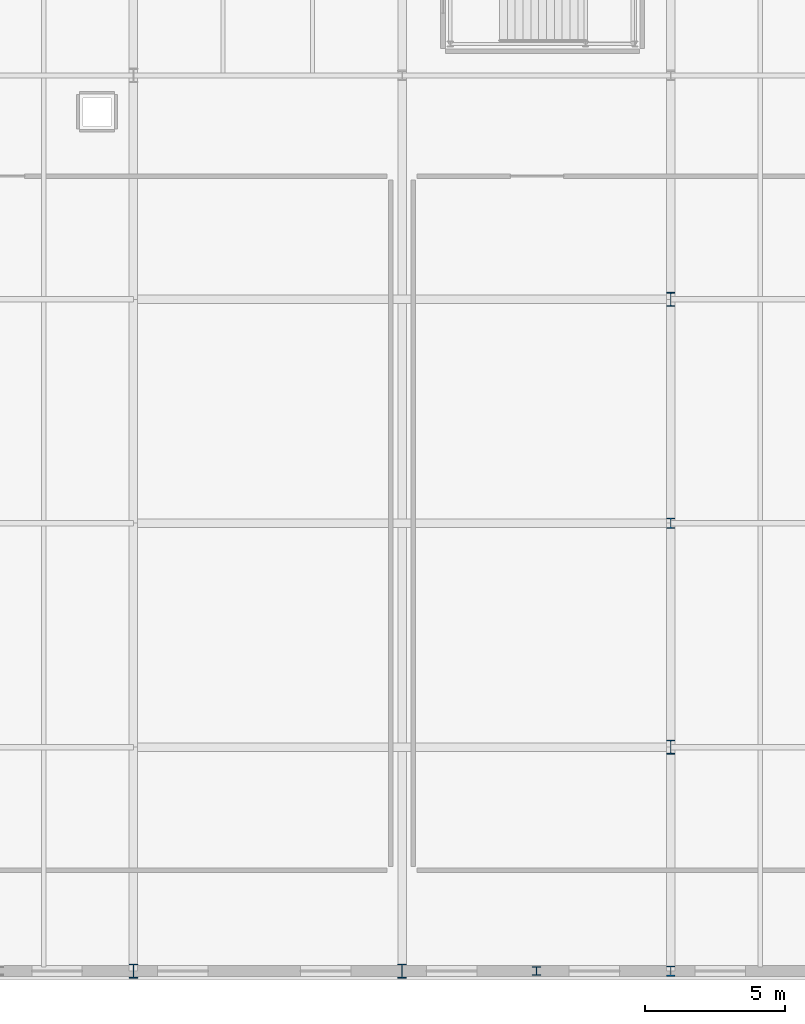
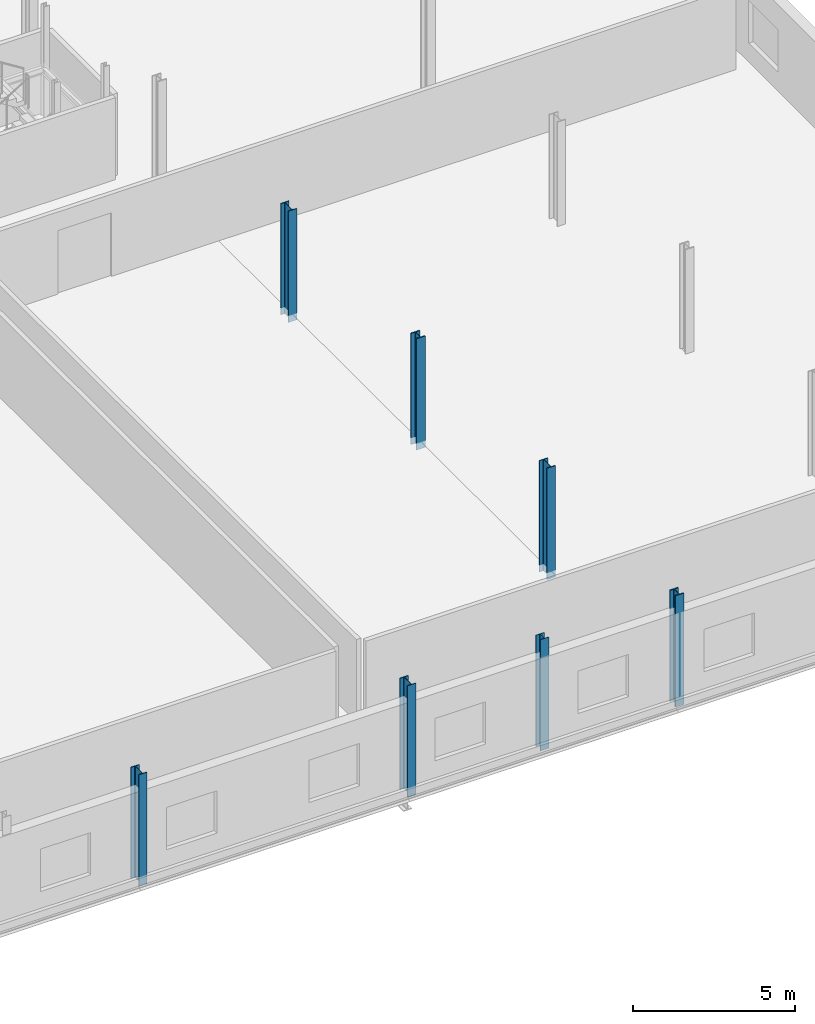
# One storey, part 5 of 78: 7 columns.
"""IFC4 building model written with IfcOpenShell, lengths in metres."""

from ifc_helpers import new_model, si_unit, direction, frame, origin, origin_2d, place, context, subcontext, project, spatial, i_section, extrude, material, material_profile, profile_set, type_object, element, save


model = new_model("IFC4")

# Units and contexts
model_context = context("Model", 3, precision=1e-05, world=origin(), true_north=direction((0.0, 1.0)))
body_context = subcontext(model_context, "Body", "Model", "MODEL_VIEW")
ifc_project = project(units=[si_unit("LENGTHUNIT", "METRE"), si_unit("AREAUNIT", "SQUARE_METRE"), si_unit("VOLUMEUNIT", "CUBIC_METRE"), si_unit("PLANEANGLEUNIT", "RADIAN"), si_unit("MASSUNIT", "GRAM", prefix="KILO")], contexts=[model_context])

# Site, building, storey
site_placement = place(None, origin())
site = spatial("IfcSite", under=ifc_project, at=site_placement, CompositionType="ELEMENT")
building_placement = place(site_placement, origin())
building = spatial("IfcBuilding", under=site, at=building_placement, Name="Alderhovde Museum", CompositionType="ELEMENT")
storey_placement = place(building_placement, frame((0.0, 0.0, 4.5)))
storey = spatial("IfcBuildingStorey", under=building, at=storey_placement, Name="L01", CompositionType="ELEMENT", Elevation=4.5)

# Columns
ifc_material_1 = material(Name="Steel S355J2", Category="steel")
ifc_material_profile_1 = material_profile(ifc_material_1, i_section(OverallWidth=0.300048828125, OverallDepth=0.5, WebThickness=0.014404296875, FlangeThickness=0.028076171875, FilletRadius=0.027099609375, at=origin_2d()), Name="HEB 500")
ifc_profile_set_1 = profile_set([ifc_material_profile_1], Name="Steel S355J2")
column_type_1 = type_object("IfcColumnType", Name="COL-HEB500", PredefinedType="COLUMN", material=ifc_profile_set_1)
for number, where, z_axis, x_axis, name in (
    (1, (76.800048828125, 0.0, -0.260009765625), (0.0, 0.0, 1.0), (1.0, 0.0, 0.0), "L01 Column (76.8, 0.0)"),
    (2, (86.39990234375, 0.0, -0.260009765625), (0.0, 0.0, 1.0), (1.0, 0.0, 0.0), "L01 Column (86.4, 0.0)"),
    (3, (96.0, 8.0, -0.260009765625), (0.0, 0.0, 1.0), (1.0, 0.0, 0.0), "L01 Column (96.0, 8.0)"),
    (4, (96.0, 24.0, -0.260009765625), (0.0, 0.0, 1.0), (1.0, 0.0, 0.0), "L01 Column (96.0, 24.0)"),
):
    element("IfcColumn", number, at=place(storey_placement, frame(where, z_axis=z_axis, x_axis=x_axis)), inside=storey, type_object=column_type_1, Name=name, PredefinedType="COLUMN", context=body_context, shape_type="SweptSolid", body=[
        extrude(i_section(OverallWidth=0.300048828125, OverallDepth=0.5, WebThickness=0.014404296875, FlangeThickness=0.028076171875, FilletRadius=0.027099609375, at=origin_2d()), origin(), (0.0, 0.0, 1.0), 4.199951171875),
    ])
ifc_material_2 = material(Name="Steel S355J2", Category="steel")
ifc_material_profile_2 = material_profile(ifc_material_2, i_section(OverallWidth=0.30908203125, OverallDepth=0.376953125, WebThickness=0.02099609375, FlangeThickness=0.0400390625, FilletRadius=0.027099609375, at=origin_2d()), Name="HEM 340")
ifc_profile_set_2 = profile_set([ifc_material_profile_2], Name="Steel S355J2")
column_type_2 = type_object("IfcColumnType", Name="COL-HEM340", PredefinedType="COLUMN", material=ifc_profile_set_2)
for number, where, z_axis, x_axis, name in (
    (5, (96.0, 0.0, -0.260009765625), (0.0, 0.0, 1.0), (1.0, 0.0, 0.0), "L01 Column (96.0, 0.0)"),
    (6, (96.0, 16.0, -0.260009765625), (0.0, 0.0, 1.0), (1.0, 0.0, 0.0), "L01 Column (96.0, 16.0)"),
):
    element("IfcColumn", number, at=place(storey_placement, frame(where, z_axis=z_axis, x_axis=x_axis)), inside=storey, type_object=column_type_2, Name=name, PredefinedType="COLUMN", context=body_context, shape_type="SweptSolid", body=[
        extrude(i_section(OverallWidth=0.30908203125, OverallDepth=0.376953125, WebThickness=0.02099609375, FlangeThickness=0.0400390625, FilletRadius=0.027099609375, at=origin_2d()), origin(), (0.0, 0.0, 1.0), 4.199951171875),
    ])
ifc_material_3 = material(Name="Steel S355J2", Category="steel")
ifc_material_profile_3 = material_profile(ifc_material_3, i_section(OverallWidth=0.300048828125, OverallDepth=0.2900390625, WebThickness=0.008544921875, FlangeThickness=0.013916015625, FilletRadius=0.027099609375, at=origin_2d()), Name="HEA 300")
ifc_profile_set_3 = profile_set([ifc_material_profile_3], Name="Steel S355J2")
column_type_3 = type_object("IfcColumnType", Name="PIL-HEA300", PredefinedType="PILASTER", material=ifc_profile_set_3)
column_placement = place(storey_placement, frame((91.199951171875, 0.0, -0.260009765625), z_axis=(0.0, 0.0, 1.0), x_axis=(1.0, 0.0, 0.0)))
element("IfcColumn", 7, at=column_placement, inside=storey, type_object=column_type_3, Name="L01 Structural Pilaster (91.2, 0.0)", PredefinedType="PILASTER", context=body_context, shape_type="SweptSolid", body=[
    extrude(i_section(OverallWidth=0.300048828125, OverallDepth=0.2900390625, WebThickness=0.008544921875, FlangeThickness=0.013916015625, FilletRadius=0.027099609375, at=origin_2d()), origin(), (0.0, 0.0, 1.0), 4.199951171875),
])

save(model, "model.ifc")
